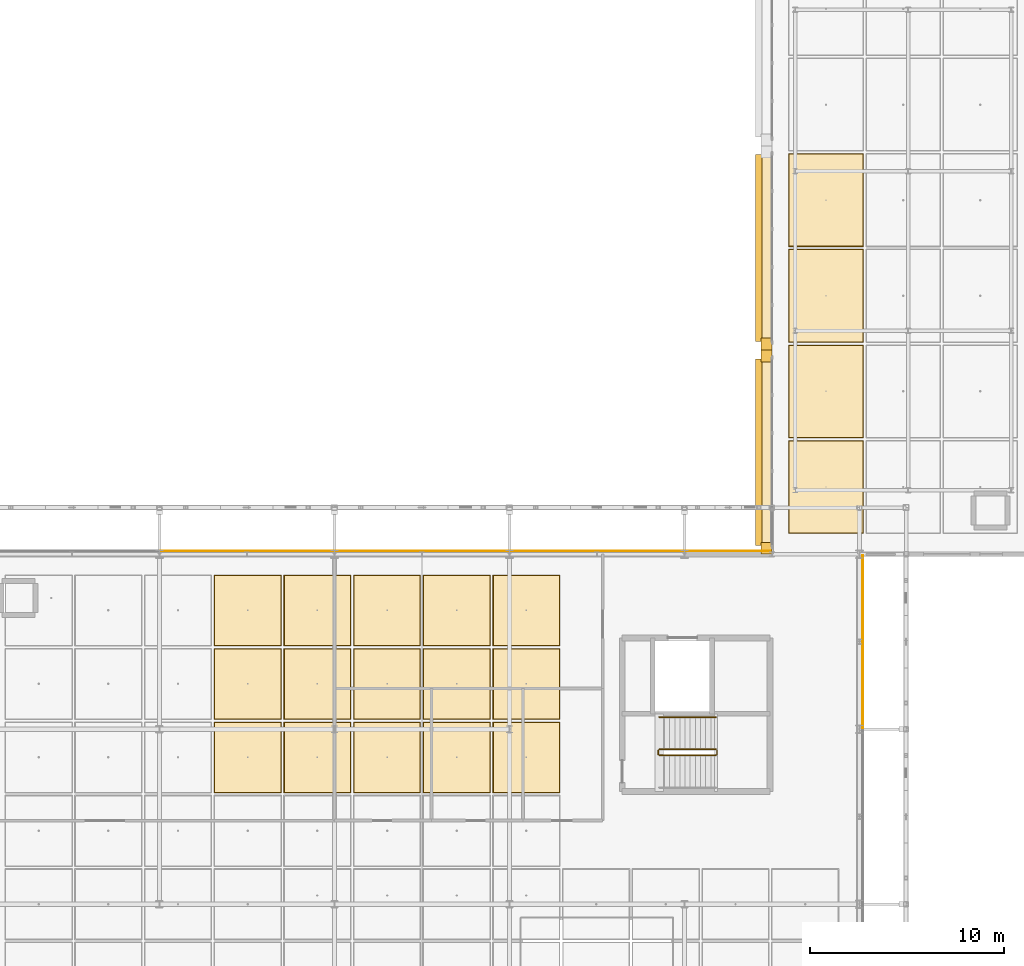
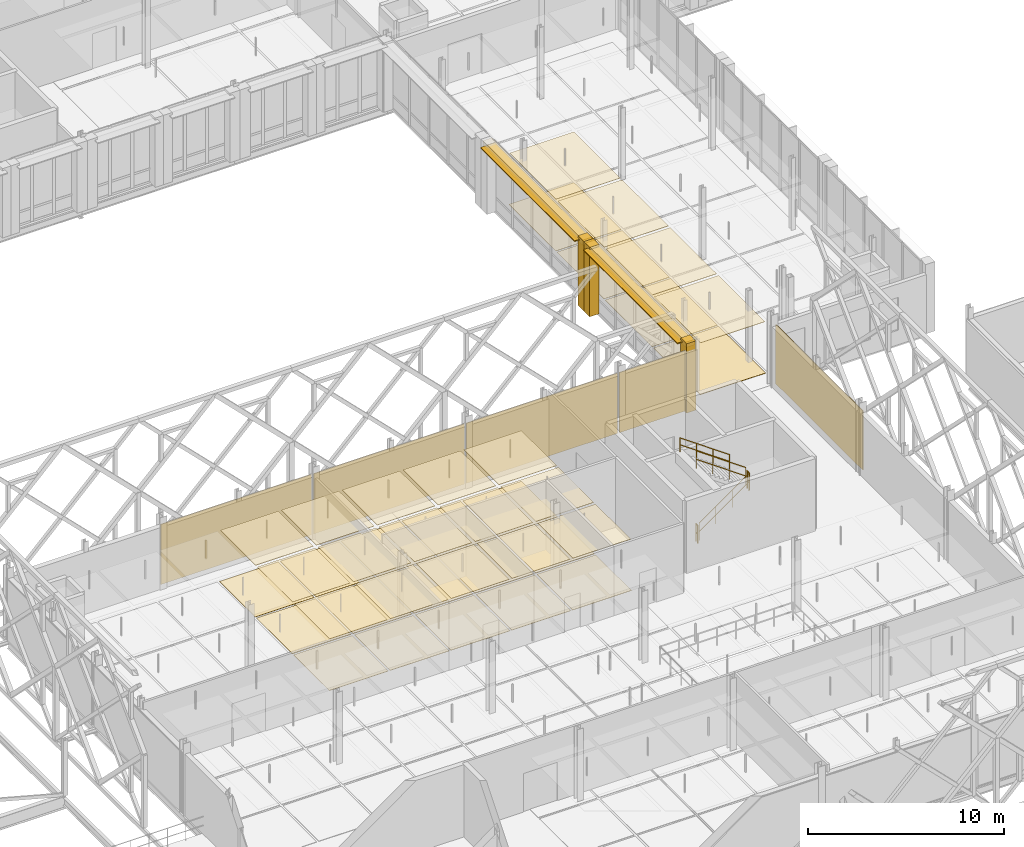
# One storey, part 132 of 140: 48 coverings, 5 railings, 2 shading devices.
"""IFC4 building model written with IfcOpenShell, lengths in metres."""

from ifc_helpers import new_model, si_unit, direction, frame, origin, origin_2d, place, context, subcontext, project, spatial, rectangle, circle, extrude, material, layer, layer_set, type_object, element, save


model = new_model("IFC4")

# Units and contexts
model_context = context("Model", 3, precision=1e-05, world=origin(), true_north=direction((0.0, 1.0)))
body_context = subcontext(model_context, "Body", "Model", "MODEL_VIEW")
ifc_project = project(units=[si_unit("LENGTHUNIT", "METRE"), si_unit("AREAUNIT", "SQUARE_METRE"), si_unit("VOLUMEUNIT", "CUBIC_METRE"), si_unit("PLANEANGLEUNIT", "RADIAN"), si_unit("MASSUNIT", "GRAM", prefix="KILO"), si_unit("THERMODYNAMICTEMPERATUREUNIT", "KELVIN"), si_unit("POWERUNIT", "WATT")], contexts=[model_context])

# Site, building, storey
site_placement = place(None, origin())
site = spatial("IfcSite", under=ifc_project, at=site_placement, CompositionType="ELEMENT")
building_placement = place(site_placement, origin())
building = spatial("IfcBuilding", under=site, at=building_placement, Name="Tallowbark Science Centre", CompositionType="ELEMENT")
storey_placement = place(building_placement, frame((0.0, 0.0, 9.89990234375)))
storey = spatial("IfcBuildingStorey", under=building, at=storey_placement, Name="L02", CompositionType="ELEMENT", Elevation=9.89990234375)

# Coverings
ifc_material_1 = material(Name="Perforated Spotted Gum Acoustic Baffle Ceiling", Category="wood")
ifc_layer_1 = layer(ifc_material_1, 0.02490234375)
ifc_layer_set_1 = layer_set([ifc_layer_1], Name="Perforated Spotted Gum Acoustic Baffle Ceiling")
covering_type_1 = type_object("IfcCoveringType", Name="CLG-TIM-25", PredefinedType="CEILING", material=ifc_layer_set_1)
for number, where, z_axis, x_axis, name in (
    (1, (72.041748046875, 30.0556640625, 3.187744140625), (0.0, 0.0, 1.0), (1.0, 0.0, 0.0), "Suspended Ceiling L02-789"),
    (2, (72.041748046875, 33.833251953125, 3.187744140625), (0.0, 0.0, 1.0), (1.0, 0.0, 0.0), "Suspended Ceiling L02-790"),
    (3, (72.041748046875, 37.611083984375, 3.187744140625), (0.0, 0.0, 1.0), (1.0, 0.0, 0.0), "Suspended Ceiling L02-791"),
    (4, (75.625, 30.0556640625, 3.187744140625), (0.0, 0.0, 1.0), (1.0, 0.0, 0.0), "Suspended Ceiling L02-798"),
    (5, (75.625, 33.833251953125, 3.187744140625), (0.0, 0.0, 1.0), (1.0, 0.0, 0.0), "Suspended Ceiling L02-799"),
    (6, (75.625, 37.611083984375, 3.187744140625), (0.0, 0.0, 1.0), (1.0, 0.0, 0.0), "Suspended Ceiling L02-800"),
    (7, (79.208251953125, 30.0556640625, 3.187744140625), (0.0, 0.0, 1.0), (1.0, 0.0, 0.0), "Suspended Ceiling L02-807"),
    (8, (79.208251953125, 33.833251953125, 3.187744140625), (0.0, 0.0, 1.0), (1.0, 0.0, 0.0), "Suspended Ceiling L02-808"),
    (9, (79.208251953125, 37.611083984375, 3.187744140625), (0.0, 0.0, 1.0), (1.0, 0.0, 0.0), "Suspended Ceiling L02-809"),
    (10, (82.791748046875, 30.0556640625, 3.187744140625), (0.0, 0.0, 1.0), (1.0, 0.0, 0.0), "Suspended Ceiling L02-816"),
    (11, (82.791748046875, 33.833251953125, 3.187744140625), (0.0, 0.0, 1.0), (1.0, 0.0, 0.0), "Suspended Ceiling L02-817"),
    (12, (82.791748046875, 37.611083984375, 3.187744140625), (0.0, 0.0, 1.0), (1.0, 0.0, 0.0), "Suspended Ceiling L02-818"),
    (13, (86.375, 30.0556640625, 3.187744140625), (0.0, 0.0, 1.0), (1.0, 0.0, 0.0), "Suspended Ceiling L02-825"),
    (14, (86.375, 33.833251953125, 3.187744140625), (0.0, 0.0, 1.0), (1.0, 0.0, 0.0), "Suspended Ceiling L02-826"),
    (15, (86.375, 37.611083984375, 3.187744140625), (0.0, 0.0, 1.0), (1.0, 0.0, 0.0), "Suspended Ceiling L02-827"),
):
    element("IfcCovering", number, at=place(storey_placement, frame(where, z_axis=z_axis, x_axis=x_axis)), inside=storey, type_object=covering_type_1, Name=name, PredefinedType="CEILING", context=body_context, shape_type="SweptSolid", body=[
        extrude(rectangle(XDim=3.4033203125, YDim=3.597900390625, at=origin_2d()), origin(), (0.0, 0.0, 1.0), 0.02490234375),
    ])
for number, where, z_axis, x_axis, name in (
    (16, (101.783203125, 43.958251953125, 3.187744140625), (0.0, 0.0, 1.0), (1.0, 0.0, 0.0), "Suspended Ceiling L02-848"),
    (17, (101.783203125, 48.875, 3.187744140625), (0.0, 0.0, 1.0), (1.0, 0.0, 0.0), "Suspended Ceiling L02-849"),
    (18, (101.783203125, 53.791748046875, 3.187744140625), (0.0, 0.0, 1.0), (1.0, 0.0, 0.0), "Suspended Ceiling L02-850"),
    (19, (101.783203125, 58.708251953125, 3.187744140625), (0.0, 0.0, 1.0), (1.0, 0.0, 0.0), "Suspended Ceiling L02-851"),
):
    element("IfcCovering", number, at=place(storey_placement, frame(where, z_axis=z_axis, x_axis=x_axis)), inside=storey, type_object=covering_type_1, Name=name, PredefinedType="CEILING", context=body_context, shape_type="SweptSolid", body=[
        extrude(rectangle(XDim=3.78662109375, YDim=4.73681640625, at=origin_2d()), origin(), (0.0, 0.0, 1.0), 0.02490234375),
    ])
ifc_material_2 = material(Name="White Architectural Precast Concrete Grade N40 (40 MPa)", Category="concrete")
ifc_layer_2 = layer(ifc_material_2, 0.1201171875)
ifc_layer_set_2 = layer_set([ifc_layer_2], Name="White Architectural Precast Concrete Grade N40 (40 MPa)")
covering_type_2 = type_object("IfcCoveringType", Name="COV-PRC-CLAD", PredefinedType="CLADDING", material=ifc_layer_set_2)
for number, where, z_axis, x_axis, name in (
    (20, (98.719970703125, 50.695068359375, 0.0), (0.0, 0.0, 1.0), (0.0, -1.0, 0.0), "Postmodern Deep Precast Pier CW-L02-016-1"),
    (21, (98.719970703125, 40.804931640625, 0.0), (0.0, 0.0, 1.0), (0.0, -1.0, 0.0), "Postmodern Deep Precast Pier CW-L02-016-2"),
    (22, (98.719970703125, 51.304931640625, 0.0), (0.0, 0.0, 1.0), (0.0, -1.0, 0.0), "Postmodern Deep Precast Pier CW-L02-018-2"),
):
    element("IfcCovering", number, at=place(storey_placement, frame(where, z_axis=z_axis, x_axis=x_axis)), inside=storey, type_object=covering_type_2, Name=name, PredefinedType="CLADDING", context=body_context, shape_type="SweptSolid", body=[
        extrude(rectangle(XDim=0.610107421875, YDim=0.56005859375, at=origin_2d()), origin(), (0.0, 0.0, 1.0), 4.320068359375),
    ])
ifc_material_3 = material(Name="Vitrified Ochre Terracotta Architectural Rainscreen", Category="masonry")
ifc_layer_3 = layer(ifc_material_3, 0.0380859375)
ifc_layer_set_3 = layer_set([ifc_layer_3], Name="Vitrified Ochre Terracotta Architectural Rainscreen")
covering_type_3 = type_object("IfcCoveringType", Name="COV-TER-CLAD", PredefinedType="CLADDING", material=ifc_layer_set_3)
for number, where, z_axis, x_axis, name in (
    (23, (98.739990234375, 45.75, 3.97021484375), (0.0, 0.0, 1.0), (0.0, -1.0, 0.0), "Postmodern Terracotta Cornice Band CW-L02-016"),
    (24, (98.739990234375, 56.25, 3.97021484375), (0.0, 0.0, 1.0), (0.0, -1.0, 0.0), "Postmodern Terracotta Cornice Band CW-L02-018"),
):
    element("IfcCovering", number, at=place(storey_placement, frame(where, z_axis=z_axis, x_axis=x_axis)), inside=storey, type_object=covering_type_3, Name=name, PredefinedType="CLADDING", context=body_context, shape_type="SweptSolid", body=[
        extrude(rectangle(XDim=10.199951171875, YDim=0.52001953125, at=origin_2d()), origin(), (0.0, 0.0, 1.0), 0.340087890625),
    ])
ifc_material_4 = material(Name="Spotted Gum Hardwood Architectural Rainscreen", Category="wood")
ifc_layer_4 = layer(ifc_material_4, 0.0419921875)
ifc_layer_set_4 = layer_set([ifc_layer_4], Name="Spotted Gum Hardwood Architectural Rainscreen")
covering_type_4 = type_object("IfcCoveringType", Name="COV-TIM-CLAD", PredefinedType="CLADDING", material=ifc_layer_set_4)
for number, where, z_axis, x_axis, name in (
    (25, (72.0, 40.66845703125, 0.050048828125), (0.0, 0.0, 1.0), (-1.0, 0.0, 0.0), "Architectural Rainscreen CUB-N-L02-1"),
    (26, (81.0, 40.66845703125, 0.050048828125), (0.0, 0.0, 1.0), (-1.0, 0.0, 0.0), "Architectural Rainscreen CUB-N-L02-2"),
    (27, (90.0, 40.66845703125, 0.050048828125), (0.0, 0.0, 1.0), (-1.0, 0.0, 0.0), "Architectural Rainscreen CUB-N-L02-3"),
):
    element("IfcCovering", number, at=place(storey_placement, frame(where, z_axis=z_axis, x_axis=x_axis)), inside=storey, type_object=covering_type_4, Name=name, PredefinedType="CLADDING", context=body_context, shape_type="SweptSolid", body=[
        extrude(rectangle(XDim=8.8798828125, YDim=0.0419921875, at=origin_2d()), origin(), (0.0, 0.0, 1.0), 3.74609375),
    ])
covering_1_placement = place(storey_placement, frame((96.75, 40.66845703125, 0.050048828125), z_axis=(0.0, 0.0, 1.0), x_axis=(-1.0, 0.0, 0.0)))
element("IfcCovering", 28, at=covering_1_placement, inside=storey, type_object=covering_type_4, Name="Architectural Rainscreen CUB-N-L02-4", PredefinedType="CLADDING", context=body_context, shape_type="SweptSolid", body=[
    extrude(rectangle(XDim=4.3798828125, YDim=0.0419921875, at=origin_2d()), origin(), (0.0, 0.0, 1.0), 3.74609375),
])
covering_2_placement = place(storey_placement, frame((103.66845703125, 36.0, 0.050048828125), z_axis=(0.0, 0.0, 1.0), x_axis=(0.0, 1.0, 0.0)))
element("IfcCovering", 29, at=covering_2_placement, inside=storey, type_object=covering_type_4, Name="Architectural Rainscreen CUB-E-L02-3", PredefinedType="CLADDING", context=body_context, shape_type="SweptSolid", body=[
    extrude(rectangle(XDim=8.8798828125, YDim=0.0419921875, at=origin_2d()), origin(), (0.0, 0.0, 1.0), 3.68115234375),
])
ifc_material_5 = material(Name="Polished Recycled-Glass Terrazzo Foyer Flooring", Category="glass")
ifc_layer_5 = layer(ifc_material_5, 0.02001953125)
ifc_layer_set_5 = layer_set([ifc_layer_5], Name="Polished Recycled-Glass Terrazzo Foyer Flooring")
covering_type_5 = type_object("IfcCoveringType", Name="FLR-TER-20", PredefinedType="FLOORING", material=ifc_layer_set_5)
for number, where, z_axis, x_axis, name in (
    (30, (101.783203125, 43.958251953125, 0.0), (0.0, 0.0, 1.0), (1.0, 0.0, 0.0), "Floor Finish L02-848"),
    (31, (101.783203125, 48.875, 0.0), (0.0, 0.0, 1.0), (1.0, 0.0, 0.0), "Floor Finish L02-849"),
    (32, (101.783203125, 53.791748046875, 0.0), (0.0, 0.0, 1.0), (1.0, 0.0, 0.0), "Floor Finish L02-850"),
    (33, (101.783203125, 58.708251953125, 0.0), (0.0, 0.0, 1.0), (1.0, 0.0, 0.0), "Floor Finish L02-851"),
):
    element("IfcCovering", number, at=place(storey_placement, frame(where, z_axis=z_axis, x_axis=x_axis)), inside=storey, type_object=covering_type_5, Name=name, PredefinedType="FLOORING", context=body_context, shape_type="SweptSolid", body=[
        extrude(rectangle(XDim=3.8466796875, YDim=4.796630859375, at=origin_2d()), origin(), (0.0, 0.0, 1.0), 0.02001953125),
    ])
ifc_material_6 = material(Name="Engineered Blackbutt Gallery Timber Flooring", Category="wood")
ifc_layer_6 = layer(ifc_material_6, 0.02197265625)
ifc_layer_set_6 = layer_set([ifc_layer_6], Name="Engineered Blackbutt Gallery Timber Flooring")
covering_type_6 = type_object("IfcCoveringType", Name="FLR-TIM-22", PredefinedType="FLOORING", material=ifc_layer_set_6)
for number, where, z_axis, x_axis, name in (
    (34, (72.041748046875, 30.0556640625, 0.0), (0.0, 0.0, 1.0), (1.0, 0.0, 0.0), "Floor Finish L02-789"),
    (35, (72.041748046875, 33.833251953125, 0.0), (0.0, 0.0, 1.0), (1.0, 0.0, 0.0), "Floor Finish L02-790"),
    (36, (72.041748046875, 37.611083984375, 0.0), (0.0, 0.0, 1.0), (1.0, 0.0, 0.0), "Floor Finish L02-791"),
    (37, (75.625, 30.0556640625, 0.0), (0.0, 0.0, 1.0), (1.0, 0.0, 0.0), "Floor Finish L02-798"),
    (38, (75.625, 33.833251953125, 0.0), (0.0, 0.0, 1.0), (1.0, 0.0, 0.0), "Floor Finish L02-799"),
    (39, (75.625, 37.611083984375, 0.0), (0.0, 0.0, 1.0), (1.0, 0.0, 0.0), "Floor Finish L02-800"),
    (40, (79.208251953125, 30.0556640625, 0.0), (0.0, 0.0, 1.0), (1.0, 0.0, 0.0), "Floor Finish L02-807"),
    (41, (79.208251953125, 33.833251953125, 0.0), (0.0, 0.0, 1.0), (1.0, 0.0, 0.0), "Floor Finish L02-808"),
    (42, (79.208251953125, 37.611083984375, 0.0), (0.0, 0.0, 1.0), (1.0, 0.0, 0.0), "Floor Finish L02-809"),
    (43, (82.791748046875, 30.0556640625, 0.0), (0.0, 0.0, 1.0), (1.0, 0.0, 0.0), "Floor Finish L02-816"),
    (44, (82.791748046875, 33.833251953125, 0.0), (0.0, 0.0, 1.0), (1.0, 0.0, 0.0), "Floor Finish L02-817"),
    (45, (82.791748046875, 37.611083984375, 0.0), (0.0, 0.0, 1.0), (1.0, 0.0, 0.0), "Floor Finish L02-818"),
    (46, (86.375, 30.0556640625, 0.0), (0.0, 0.0, 1.0), (1.0, 0.0, 0.0), "Floor Finish L02-825"),
    (47, (86.375, 33.833251953125, 0.0), (0.0, 0.0, 1.0), (1.0, 0.0, 0.0), "Floor Finish L02-826"),
    (48, (86.375, 37.611083984375, 0.0), (0.0, 0.0, 1.0), (1.0, 0.0, 0.0), "Floor Finish L02-827"),
):
    element("IfcCovering", number, at=place(storey_placement, frame(where, z_axis=z_axis, x_axis=x_axis)), inside=storey, type_object=covering_type_6, Name=name, PredefinedType="FLOORING", context=body_context, shape_type="SweptSolid", body=[
        extrude(rectangle(XDim=3.46337890625, YDim=3.65771484375, at=origin_2d()), origin(), (0.0, 0.0, 1.0), 0.02197265625),
    ])

# Railings
ifc_material_7 = material(Name="Galvanised Painted Steel and Laminated Glass Balustrade", Category="steel")
ifc_layer_7 = layer(ifc_material_7, 0.070068359375)
ifc_layer_set_7 = layer_set([ifc_layer_7], Name="Galvanised Painted Steel and Laminated Glass Balustrade")
railing_type_1 = type_object("IfcRailingType", Name="RLG-BAL-1150", PredefinedType="BALUSTRADE", material=ifc_layer_set_7)
railing_1_placement = place(storey_placement, frame((93.2099609375, 30.159912109375, 0.1875)))
element("IfcRailing", 49, at=railing_1_placement, inside=storey, type_object=railing_type_1, Name="L02 ST-03 stair guard 1", PredefinedType="BALUSTRADE", context=body_context, shape_type="SweptSolid", body=[
    extrude(circle(Radius=0.02392578125, at=origin_2d()), frame((0.0, 0.0, 1.076171875), z_axis=(0.816330724661, 0.0, 0.577584753931), x_axis=(0.0, 1.0, 0.0)), (0.0, 0.0, 1.0), 3.57080078125),
    extrude(circle(Radius=0.02392578125, at=origin_2d()), frame((0.0, 0.0, 0.550048828125), z_axis=(0.816330724661, 0.0, 0.577584753931), x_axis=(0.0, 1.0, 0.0)), (0.0, 0.0, 1.0), 3.57080078125),
    extrude(circle(Radius=0.02099609375, at=origin_2d()), origin(), (0.0, 0.0, 1.0), 1.052001953125),
    extrude(circle(Radius=0.02099609375, at=origin_2d()), frame((0.9716796875, 0.0, 0.6875)), (0.0, 0.0, 1.0), 1.052001953125),
    extrude(circle(Radius=0.02099609375, at=origin_2d()), frame((1.943359375, 0.0, 1.375)), (0.0, 0.0, 1.0), 1.052001953125),
    extrude(circle(Radius=0.02099609375, at=origin_2d()), frame((2.9150390625, 0.0, 2.0625)), (0.0, 0.0, 1.0), 1.052001953125),
])
railing_2_placement = place(storey_placement, frame((96.175048828125, 30.2099609375, 2.25)))
element("IfcRailing", 50, at=railing_2_placement, inside=storey, type_object=railing_type_1, Name="L02 ST-03 stair guard 2", PredefinedType="BALUSTRADE", context=body_context, shape_type="SweptSolid", body=[
    extrude(circle(Radius=0.02392578125, at=origin_2d()), frame((0.0, 0.0, 1.076171875), z_axis=(0.0, 1.0, 0.0), x_axis=(-1.0, 0.0, 0.0)), (0.0, 0.0, 1.0), 0.199951171875),
    extrude(circle(Radius=0.02392578125, at=origin_2d()), frame((0.0, 0.0, 0.550048828125), z_axis=(0.0, 1.0, 0.0), x_axis=(-1.0, 0.0, 0.0)), (0.0, 0.0, 1.0), 0.199951171875),
    extrude(circle(Radius=0.02099609375, at=origin_2d()), origin(), (0.0, 0.0, 1.0), 1.052001953125),
    extrude(circle(Radius=0.02099609375, at=origin_2d()), frame((0.0, 0.199951171875, 0.0)), (0.0, 0.0, 1.0), 1.052001953125),
])
railing_3_placement = place(storey_placement, frame((96.125, 30.4599609375, 2.4375)))
element("IfcRailing", 51, at=railing_3_placement, inside=storey, type_object=railing_type_1, Name="L02 ST-03 stair guard 3", PredefinedType="BALUSTRADE", context=body_context, shape_type="SweptSolid", body=[
    extrude(circle(Radius=0.02392578125, at=origin_2d()), frame((0.0, 0.0, 1.076171875), z_axis=(-0.816330724661, 0.0, 0.577584753931), x_axis=(0.0, -1.0, 0.0)), (0.0, 0.0, 1.0), 3.57080078125),
    extrude(circle(Radius=0.02392578125, at=origin_2d()), frame((0.0, 0.0, 0.550048828125), z_axis=(-0.816330724661, 0.0, 0.577584753931), x_axis=(0.0, -1.0, 0.0)), (0.0, 0.0, 1.0), 3.57080078125),
    extrude(circle(Radius=0.02099609375, at=origin_2d()), origin(), (0.0, 0.0, 1.0), 1.052001953125),
    extrude(circle(Radius=0.02099609375, at=origin_2d()), frame((-0.9716796875, 0.0, 0.6875)), (0.0, 0.0, 1.0), 1.052001953125),
    extrude(circle(Radius=0.02099609375, at=origin_2d()), frame((-1.943359375, 0.0, 1.375)), (0.0, 0.0, 1.0), 1.052001953125),
    extrude(circle(Radius=0.02099609375, at=origin_2d()), frame((-2.9150390625, 0.0, 2.0625)), (0.0, 0.0, 1.0), 1.052001953125),
])
railing_4_placement = place(storey_placement, frame((93.159912109375, 30.2099609375, 0.0)))
element("IfcRailing", 52, at=railing_4_placement, inside=storey, type_object=railing_type_1, Name="L02 ST-03 stair guard 4", PredefinedType="BALUSTRADE", context=body_context, shape_type="SweptSolid", body=[
    extrude(circle(Radius=0.02392578125, at=origin_2d()), frame((0.0, 0.0, 1.076171875), z_axis=(0.0, 1.0, 0.0), x_axis=(-1.0, 0.0, 0.0)), (0.0, 0.0, 1.0), 0.199951171875),
    extrude(circle(Radius=0.02392578125, at=origin_2d()), frame((0.0, 0.0, 0.550048828125), z_axis=(0.0, 1.0, 0.0), x_axis=(-1.0, 0.0, 0.0)), (0.0, 0.0, 1.0), 0.199951171875),
    extrude(circle(Radius=0.02099609375, at=origin_2d()), origin(), (0.0, 0.0, 1.0), 1.052001953125),
    extrude(circle(Radius=0.02099609375, at=origin_2d()), frame((0.0, 0.199951171875, 0.0)), (0.0, 0.0, 1.0), 1.052001953125),
])
ifc_material_8 = material(Name="Brushed Grade 316 Stainless Steel Handrail", Category="steel")
ifc_layer_8 = layer(ifc_material_8, 0.050048828125)
ifc_layer_set_8 = layer_set([ifc_layer_8], Name="Brushed Grade 316 Stainless Steel Handrail")
railing_type_2 = type_object("IfcRailingType", Name="RLG-HDR-950", PredefinedType="HANDRAIL", material=ifc_layer_set_8)
railing_5_placement = place(storey_placement, frame((96.125, 32.1201171875, 2.4375)))
element("IfcRailing", 53, at=railing_5_placement, inside=storey, type_object=railing_type_2, Name="L02 ST-03 stair handrail 2", PredefinedType="HANDRAIL", context=body_context, shape_type="SweptSolid", body=[
    extrude(circle(Radius=0.02392578125, at=origin_2d()), frame((0.0, 0.0, 0.8759765625), z_axis=(-0.816330724661, 0.0, 0.577584753931), x_axis=(0.0, -1.0, 0.0)), (0.0, 0.0, 1.0), 3.57080078125),
    extrude(circle(Radius=0.02392578125, at=origin_2d()), frame((0.0, 0.0, 0.449951171875), z_axis=(-0.816330724661, 0.0, 0.577584753931), x_axis=(0.0, -1.0, 0.0)), (0.0, 0.0, 1.0), 3.57080078125),
    extrude(circle(Radius=0.02099609375, at=origin_2d()), origin(), (0.0, 0.0, 1.0), 0.851806640625),
    extrude(circle(Radius=0.02099609375, at=origin_2d()), frame((-0.9716796875, 0.0, 0.6875)), (0.0, 0.0, 1.0), 0.851806640625),
    extrude(circle(Radius=0.02099609375, at=origin_2d()), frame((-1.943359375, 0.0, 1.375)), (0.0, 0.0, 1.0), 0.851806640625),
    extrude(circle(Radius=0.02099609375, at=origin_2d()), frame((-2.9150390625, 0.0, 2.0625)), (0.0, 0.0, 1.0), 0.851806640625),
])

# Shading devices
ifc_material_9 = material(Name="Terracotta-Anodised Extruded Aluminium Sunshade Blade", Category="masonry")
ifc_layer_9 = layer(ifc_material_9, 0.054931640625)
ifc_layer_set_9 = layer_set([ifc_layer_9], Name="Terracotta-Anodised Extruded Aluminium Sunshade Blade")
shading_device_type = type_object("IfcShadingDeviceType", Name="SHD-LVR-300", PredefinedType="AWNING", material=ifc_layer_set_9)
for number, where, z_axis, x_axis, name in (
    (54, (98.580078125, 45.75, 4.1328125), (0.0, 0.0, 1.0), (0.0, -1.0, 0.0), "Horizontal Solar Louvre Hood CW-L02-016"),
    (55, (98.580078125, 56.25, 4.1328125), (0.0, 0.0, 1.0), (0.0, -1.0, 0.0), "Horizontal Solar Louvre Hood CW-L02-018"),
):
    element("IfcShadingDevice", number, at=place(storey_placement, frame(where, z_axis=z_axis, x_axis=x_axis)), inside=storey, type_object=shading_device_type, Name=name, PredefinedType="AWNING", context=body_context, shape_type="SweptSolid", body=[
        extrude(rectangle(XDim=9.60009765625, YDim=0.840087890625, at=origin_2d()), origin(), (0.0, 0.0, 1.0), 0.054931640625),
    ])

save(model, "model.ifc")
